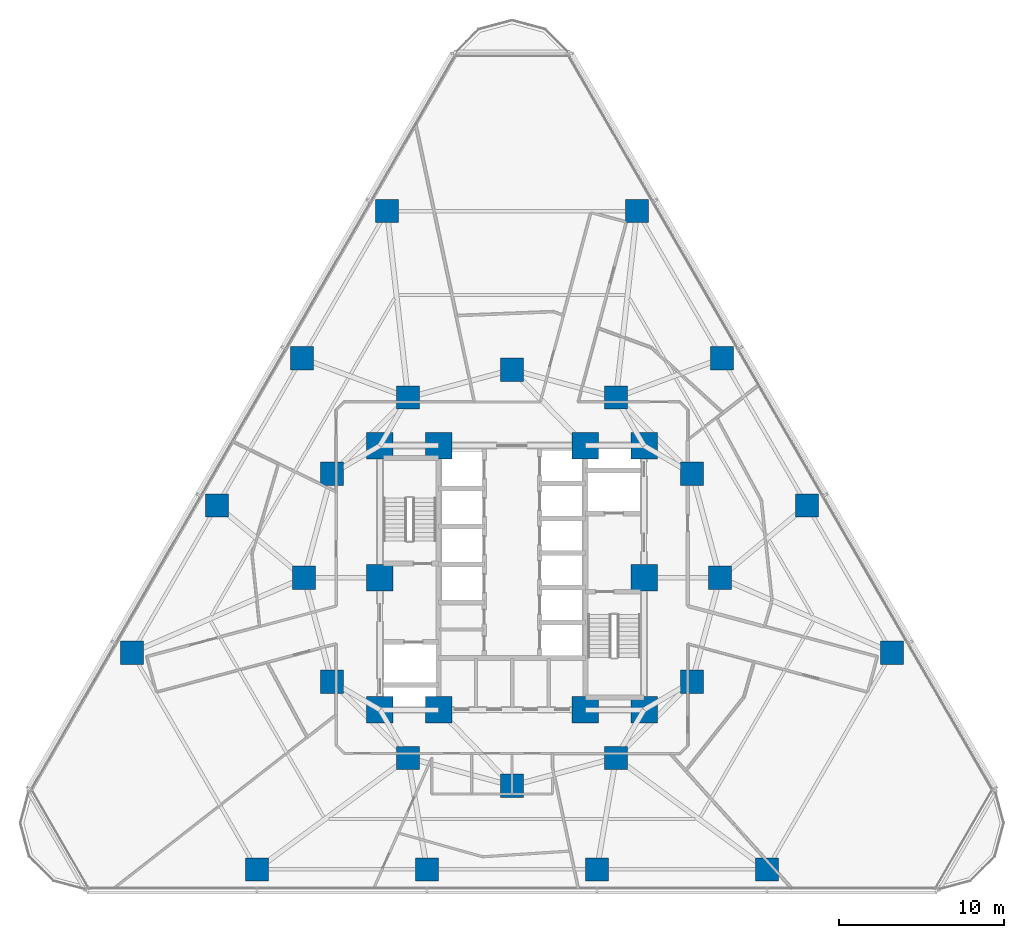
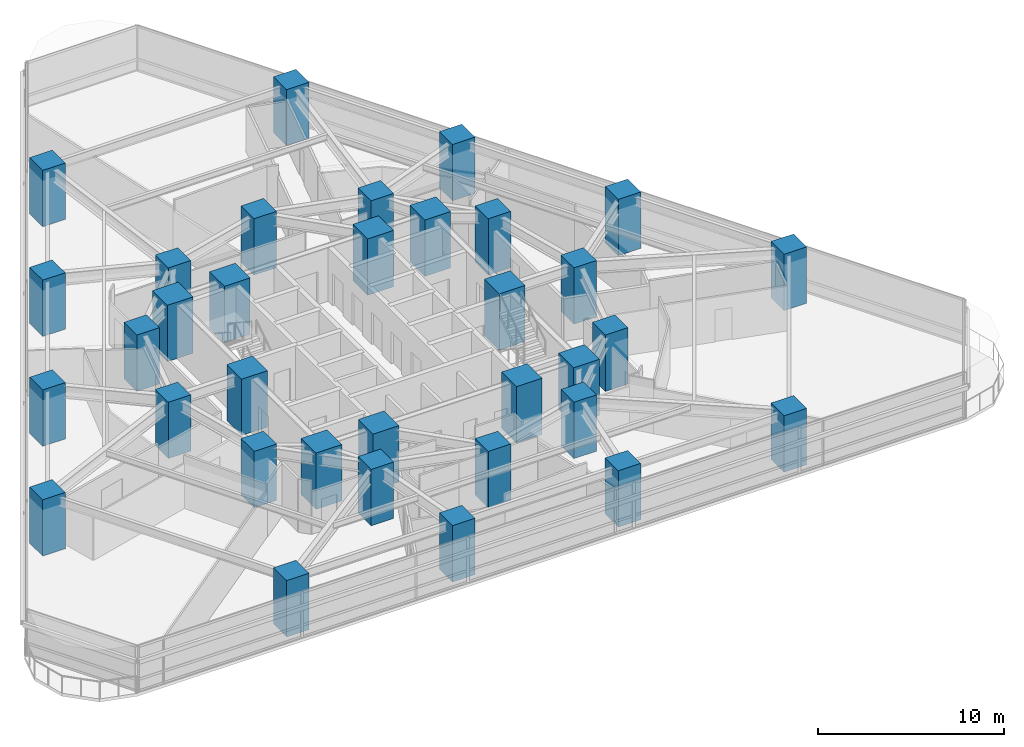
# One storey, part 1 of 15: 34 columns.
"""IFC4 building model written with IfcOpenShell, lengths in metres."""

from ifc_helpers import new_model, si_unit, direction, frame, origin, origin_2d, place, context, subcontext, project, spatial, rectangle, extrude, material, material_profile, profile_set, type_object, element, save


model = new_model("IFC4")

# Units and contexts
model_context = context("Model", 3, precision=1e-05, world=origin(), true_north=direction((0.0, 1.0)))
body_context = subcontext(model_context, "Body", "Model", "MODEL_VIEW")
ifc_project = project(units=[si_unit("LENGTHUNIT", "METRE"), si_unit("AREAUNIT", "SQUARE_METRE"), si_unit("VOLUMEUNIT", "CUBIC_METRE"), si_unit("PLANEANGLEUNIT", "RADIAN"), si_unit("MASSUNIT", "GRAM", prefix="KILO")], contexts=[model_context])

# Site, building, storey
site_placement = place(None, origin())
site = spatial("IfcSite", under=ifc_project, at=site_placement, CompositionType="ELEMENT")
building_placement = place(site_placement, origin())
building = spatial("IfcBuilding", under=site, at=building_placement, Name="Terralouvre Media Tower", CompositionType="ELEMENT")
storey_placement = place(building_placement, frame((0.0, 0.0, 48.199951171875)))
storey = spatial("IfcBuildingStorey", under=building, at=storey_placement, Name="L11", CompositionType="ELEMENT", Elevation=48.199951171875)

# Columns
ifc_material_1 = material(Name="Concrete C60/75", Category="concrete")
ifc_material_profile_1 = material_profile(ifc_material_1, rectangle(XDim=1.39990234375, YDim=1.39990234375, at=origin_2d()), Name="RC 1400x1400")
ifc_profile_set_1 = profile_set([ifc_material_profile_1], Name="Concrete C60/75")
column_type_1 = type_object("IfcColumnType", Name="Structural Column C-RC1400 (RC 1400x1400)", PredefinedType="COLUMN", material=ifc_profile_set_1)
for number, where, z_axis, x_axis, name in (
    (1, (12.60009765625, 0.0, 0.0), (0.0, 0.0, 1.0), (1.0, 0.0, 0.0), "L11 Mega-Frame Column MC01"),
    (2, (10.911865234375, 6.300048828125, 0.0), (0.0, 0.0, 1.0), (1.0, 0.0, 0.0), "L11 Mega-Frame Column MC02"),
    (3, (6.300048828125, 10.911865234375, 0.0), (0.0, 0.0, 1.0), (1.0, 0.0, 0.0), "L11 Mega-Frame Column MC03"),
    (4, (0.0, 12.60009765625, 0.0), (0.0, 0.0, 1.0), (1.0, 0.0, 0.0), "L11 Mega-Frame Column MC04"),
    (5, (-6.300048828125, 10.911865234375, 0.0), (0.0, 0.0, 1.0), (1.0, 0.0, 0.0), "L11 Mega-Frame Column MC05"),
    (6, (-10.911865234375, 6.300048828125, 0.0), (0.0, 0.0, 1.0), (1.0, 0.0, 0.0), "L11 Mega-Frame Column MC06"),
    (7, (-12.60009765625, 0.0, 0.0), (0.0, 0.0, 1.0), (1.0, 0.0, 0.0), "L11 Mega-Frame Column MC07"),
    (8, (-10.911865234375, -6.300048828125, 0.0), (0.0, 0.0, 1.0), (1.0, 0.0, 0.0), "L11 Mega-Frame Column MC08"),
    (9, (-6.300048828125, -10.911865234375, 0.0), (0.0, 0.0, 1.0), (1.0, 0.0, 0.0), "L11 Mega-Frame Column MC09"),
    (10, (0.0, -12.60009765625, 0.0), (0.0, 0.0, 1.0), (1.0, 0.0, 0.0), "L11 Mega-Frame Column MC10"),
    (11, (6.300048828125, -10.911865234375, 0.0), (0.0, 0.0, 1.0), (1.0, 0.0, 0.0), "L11 Mega-Frame Column MC11"),
    (12, (10.911865234375, -6.300048828125, 0.0), (0.0, 0.0, 1.0), (1.0, 0.0, 0.0), "L11 Mega-Frame Column MC12"),
    (13, (-15.449951171875, -17.666748046875, 0.0), (0.0, 0.0, 1.0), (1.0, 0.0, 0.0), "L11 Perimeter Mega-Column PC11"),
    (14, (-5.14990234375, -17.666748046875, 0.0), (0.0, 0.0, 1.0), (1.0, 0.0, 0.0), "L11 Perimeter Mega-Column PC12"),
    (15, (5.14990234375, -17.666748046875, 0.0), (0.0, 0.0, 1.0), (1.0, 0.0, 0.0), "L11 Perimeter Mega-Column PC13"),
    (16, (15.449951171875, -17.666748046875, 0.0), (0.0, 0.0, 1.0), (1.0, 0.0, 0.0), "L11 Perimeter Mega-Column PC14"),
    (17, (23.02490234375, -4.546630859375, 0.0), (0.0, 0.0, 1.0), (1.0, 0.0, 0.0), "L11 Perimeter Mega-Column PC21"),
    (18, (17.874755859375, 4.373291015625, 0.0), (0.0, 0.0, 1.0), (1.0, 0.0, 0.0), "L11 Perimeter Mega-Column PC22"),
    (19, (12.724853515625, 13.29345703125, 0.0), (0.0, 0.0, 1.0), (1.0, 0.0, 0.0), "L11 Perimeter Mega-Column PC23"),
    (20, (7.574951171875, 22.21337890625, 0.0), (0.0, 0.0, 1.0), (1.0, 0.0, 0.0), "L11 Perimeter Mega-Column PC24"),
    (21, (-7.574951171875, 22.21337890625, 0.0), (0.0, 0.0, 1.0), (1.0, 0.0, 0.0), "L11 Perimeter Mega-Column PC31"),
    (22, (-12.724853515625, 13.29345703125, 0.0), (0.0, 0.0, 1.0), (1.0, 0.0, 0.0), "L11 Perimeter Mega-Column PC32"),
    (23, (-17.874755859375, 4.373291015625, 0.0), (0.0, 0.0, 1.0), (1.0, 0.0, 0.0), "L11 Perimeter Mega-Column PC33"),
    (24, (-23.02490234375, -4.546630859375, 0.0), (0.0, 0.0, 1.0), (1.0, 0.0, 0.0), "L11 Perimeter Mega-Column PC34"),
):
    element("IfcColumn", number, at=place(storey_placement, frame(where, z_axis=z_axis, x_axis=x_axis)), inside=storey, type_object=column_type_1, Name=name, PredefinedType="COLUMN", context=body_context, shape_type="SweptSolid", body=[
        extrude(rectangle(XDim=1.39990234375, YDim=1.39990234375, at=origin_2d()), origin(), (0.0, 0.0, 1.0), 3.699951171875),
    ])
ifc_material_2 = material(Name="Concrete C60/75", Category="concrete")
ifc_material_profile_2 = material_profile(ifc_material_2, rectangle(XDim=1.60009765625, YDim=1.60009765625, at=origin_2d()), Name="RC 1600x1600")
ifc_profile_set_2 = profile_set([ifc_material_profile_2], Name="Concrete C60/75")
column_type_2 = type_object("IfcColumnType", Name="Structural Column C-RC1600 (RC 1600x1600)", PredefinedType="COLUMN", material=ifc_profile_set_2)
for number, where, z_axis, x_axis, name in (
    (25, (-8.0, -8.0, 0.0), (0.0, 0.0, 1.0), (1.0, 0.0, 0.0), "L11 Core Pilaster Column CP1"),
    (26, (-4.449951171875, -8.0, 0.0), (0.0, 0.0, 1.0), (1.0, 0.0, 0.0), "L11 Core Pilaster Column CP2"),
    (27, (4.449951171875, -8.0, 0.0), (0.0, 0.0, 1.0), (1.0, 0.0, 0.0), "L11 Core Pilaster Column CP10"),
    (28, (8.0, -8.0, 0.0), (0.0, 0.0, 1.0), (1.0, 0.0, 0.0), "L11 Core Pilaster Column CP3"),
    (29, (8.0, 0.0, 0.0), (0.0, 0.0, 1.0), (1.0, 0.0, 0.0), "L11 Core Pilaster Column CP4"),
    (30, (8.0, 8.0, 0.0), (0.0, 0.0, 1.0), (1.0, 0.0, 0.0), "L11 Core Pilaster Column CP5"),
    (31, (4.449951171875, 8.0, 0.0), (0.0, 0.0, 1.0), (1.0, 0.0, 0.0), "L11 Core Pilaster Column CP9"),
    (32, (-4.449951171875, 8.0, 0.0), (0.0, 0.0, 1.0), (1.0, 0.0, 0.0), "L11 Core Pilaster Column CP6"),
    (33, (-8.0, 8.0, 0.0), (0.0, 0.0, 1.0), (1.0, 0.0, 0.0), "L11 Core Pilaster Column CP7"),
    (34, (-8.0, 0.0, 0.0), (0.0, 0.0, 1.0), (1.0, 0.0, 0.0), "L11 Core Pilaster Column CP8"),
):
    element("IfcColumn", number, at=place(storey_placement, frame(where, z_axis=z_axis, x_axis=x_axis)), inside=storey, type_object=column_type_2, Name=name, PredefinedType="COLUMN", context=body_context, shape_type="SweptSolid", body=[
        extrude(rectangle(XDim=1.60009765625, YDim=1.60009765625, at=origin_2d()), origin(), (0.0, 0.0, 1.0), 3.699951171875),
    ])

save(model, "model.ifc")
